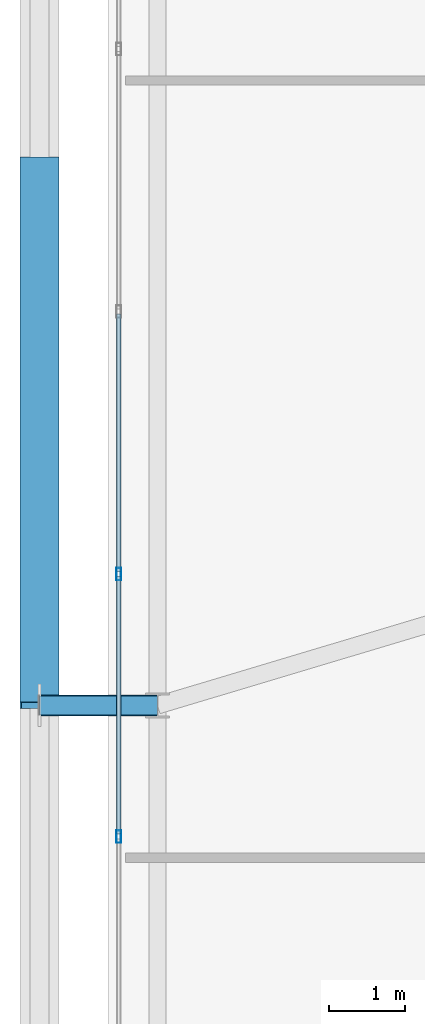
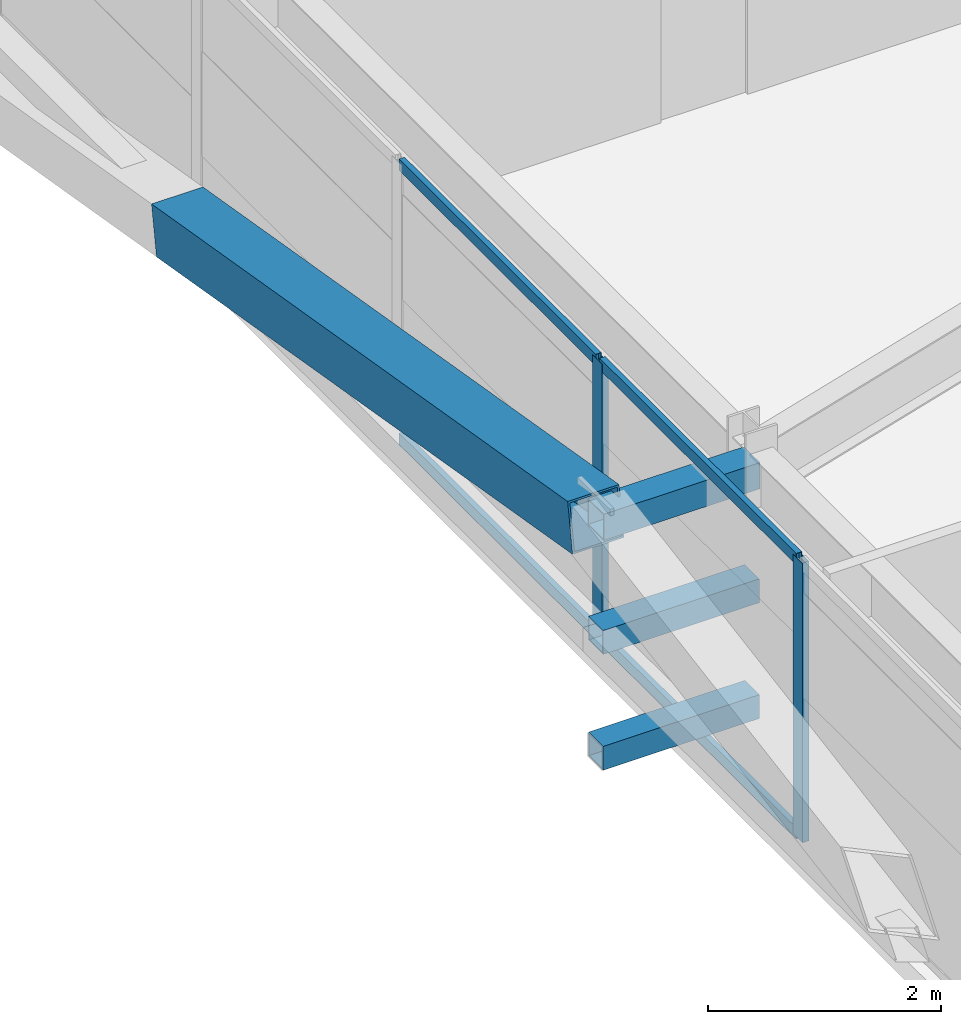
# One storey, part 14 of 58: 10 members, 1 element without a shape of its own.
"""IFC4 building model written with IfcOpenShell, lengths in metres."""

from ifc_helpers import new_model, si_unit, direction, frame, origin, origin_2d, place, context, subcontext, project, spatial, hollow_rectangle, extrude, source, transform, mapped, material, layer, layer_set, material_profile, profile_set, type_object, element, aggregate, save


model = new_model("IFC4")

# Units and contexts
model_context = context("Model", 3, precision=1e-05, world=origin(), true_north=direction((0.0, 1.0)))
body_context = subcontext(model_context, "Body", "Model", "MODEL_VIEW")
ifc_project = project(units=[si_unit("LENGTHUNIT", "METRE"), si_unit("AREAUNIT", "SQUARE_METRE"), si_unit("VOLUMEUNIT", "CUBIC_METRE"), si_unit("PLANEANGLEUNIT", "RADIAN"), si_unit("MASSUNIT", "GRAM", prefix="KILO")], contexts=[model_context])

# Site, building, storey
site_placement = place(None, origin())
site = spatial("IfcSite", under=ifc_project, at=site_placement, CompositionType="ELEMENT")
building_placement = place(site_placement, origin())
building = spatial("IfcBuilding", under=site, at=building_placement, Name="Taldren Reach Tower", CompositionType="ELEMENT")
storey_placement = place(building_placement, frame((0.0, 0.0, 54.60009765625)))
storey = spatial("IfcBuildingStorey", under=building, at=storey_placement, Name="L16", CompositionType="ELEMENT", Elevation=54.60009765625)

# Members
ifc_material_1 = material(Name="Steel Gr 450 (C450L0)", Category="steel")
ifc_material_profile_1 = material_profile(ifc_material_1, hollow_rectangle(XDim=0.27490234375, YDim=0.27490234375, WallThickness=0.00927734375, at=origin_2d()), Name="275x275x9.3SHS")
ifc_profile_set_1 = profile_set([ifc_material_profile_1], Name="Steel Gr 450 (C450L0)")
member_type_1 = type_object("IfcMemberType", Name="MB-TIE273", PredefinedType="STRUT", material=ifc_profile_set_1)
shared_shape_1 = source(origin(), body_context, "Body", "SweptSolid", [
    extrude(hollow_rectangle(XDim=0.27490234375, YDim=0.27490234375, WallThickness=0.00927734375, at=origin_2d()), origin(), (0.0, 0.0, 1.0), 1.5498046875),
])
member_1_placement = place(storey_placement, frame((5.64990234375, 20.0, 2.64990234375), z_axis=(-1.0, 0.0, 0.0), x_axis=(0.0, -1.0, 0.0)))
element("IfcMember", 1, at=member_1_placement, inside=storey, type_object=member_type_1, Name="Exoskeleton diaphragm tie strut B1-W2 L16", PredefinedType="STRUT", context=body_context, shape_type="MappedRepresentation", body=[
    mapped(shared_shape_1, transform((0.0, 0.0, 0.0), scale=1.0)),
])
ifc_material_2 = material(Name="Steel Gr 350 (C350L0)", Category="steel")
ifc_material_profile_2 = material_profile(ifc_material_2, hollow_rectangle(XDim=0.25, YDim=0.25, WallThickness=0.010009765625, at=origin_2d()), Name="250x250x10.0SHS")
ifc_profile_set_2 = profile_set([ifc_material_profile_2], Name="Steel Gr 350 (C350L0)")
member_type_2 = type_object("IfcMemberType", Name="MB-POST250", PredefinedType="POST", material=ifc_profile_set_2)
shared_shape_2 = source(origin(), body_context, "Body", "SweptSolid", [
    extrude(hollow_rectangle(XDim=0.25, YDim=0.25, WallThickness=0.010009765625, at=origin_2d()), origin(), (0.0, 0.0, 1.0), 1.5498046875),
])
for number, where, z_axis, x_axis, name in (
    (2, (5.64990234375, 20.0, 0.219970703125), (-1.0, 0.0, 0.0), (0.0, -1.0, 0.0), "Exoskeleton base diaphragm tie strut B1-W2 L16"),
    (3, (5.64990234375, 20.0, 1.434814453125), (-1.0, 0.0, 0.0), (0.0, -1.0, 0.0), "Exoskeleton mid-tier diaphragm tie B1-W2 L16"),
):
    element("IfcMember", number, at=place(storey_placement, frame(where, z_axis=z_axis, x_axis=x_axis)), inside=storey, type_object=member_type_2, Name=name, PredefinedType="POST", context=body_context, shape_type="MappedRepresentation", body=[
        mapped(shared_shape_2, transform((0.0, 0.0, 0.0), scale=1.0)),
    ])
ifc_material_profile_3 = material_profile(ifc_material_1, hollow_rectangle(XDim=0.510009765625, YDim=0.510009765625, WallThickness=0.02001953125, at=origin_2d()), Name="510x510x20.0SHS")
ifc_profile_set_3 = profile_set([ifc_material_profile_3], Name="Steel Gr 450 (C450L0)")
member_type_3 = type_object("IfcMemberType", Name="MB-EXO508", PredefinedType="BRACE", material=ifc_profile_set_3)
shared_shape_3 = source(origin(), body_context, "Body", "SweptSolid", [
    extrude(hollow_rectangle(XDim=0.510009765625, YDim=0.510009765625, WallThickness=0.02001953125, at=origin_2d()), origin(), (0.0, 0.0, 1.0), 7.25244140625),
])
member_2_placement = place(storey_placement, frame((4.10009765625, 27.14990234375, 1.434814453125), z_axis=(0.0, -0.985864855729, 0.167542490848), x_axis=(1.0, 0.0, 0.0)))
element("IfcMember", 4, at=member_2_placement, inside=storey, type_object=member_type_3, Name="Exoskeleton Diagrid Brace B1-W2 L16", PredefinedType="BRACE", context=body_context, shape_type="MappedRepresentation", body=[
    mapped(shared_shape_3, transform((0.0, 0.0, 0.0), scale=1.0)),
])

# Curtain wall, members
ifc_material_3 = material(Name="Aluminium and Low-E Glass Unitised System", Category="aluminium")
ifc_layer = layer(ifc_material_3, 0.159912109375)
ifc_layer_set = layer_set([ifc_layer], Name="Aluminium and Low-E Glass Unitised System")
curtain_wall_type = type_object("IfcCurtainWallType", Name="CW-SYS-2", PredefinedType="NOTDEFINED", material=ifc_layer_set)
curtain_wall_placement = place(storey_placement, origin())
curtain_wall = element("IfcCurtainWall", 5, at=curtain_wall_placement, inside=storey, type_object=curtain_wall_type, Name="Unitised curtain wall CW-L16-W", PredefinedType="NOTDEFINED")
ifc_material_4 = material(Name="Anodised Aluminium 6063-T6", Category="aluminium")
ifc_material_profile_4 = material_profile(ifc_material_4, hollow_rectangle(XDim=0.06494140625, YDim=0.1650390625, WallThickness=0.00390625, at=origin_2d()), Name="ALU-165x65x4RHS")
ifc_profile_set_4 = profile_set([ifc_material_profile_4], Name="Anodised Aluminium 6063-T6")
member_type_4 = type_object("IfcMemberType", Name="CW-MUL-165", PredefinedType="MULLION", material=ifc_profile_set_4)
shared_shape_4 = source(origin(), body_context, "Body", "SweptSolid", [
    extrude(hollow_rectangle(XDim=0.06494140625, YDim=0.1650390625, WallThickness=0.00390625, at=origin_2d()), origin(), (0.0, 0.0, 1.0), 2.929931640625),
])
member_3_placement = place(storey_placement, frame((5.139892578125, 21.72216796875, 0.0), z_axis=(0.0, 0.0, 1.0), x_axis=(1.0, 0.0, 0.0)))
member_3 = element("IfcMember", 6, at=member_3_placement, type_object=member_type_4, Name="CW-2 mullion 5", PredefinedType="MULLION", context=body_context, shape_type="MappedRepresentation", body=[
    mapped(shared_shape_4, transform((0.0, 0.0, 0.0), scale=1.0)),
])
member_4_placement = place(storey_placement, frame((5.139892578125, 18.27783203125, 0.0), z_axis=(0.0, 0.0, 1.0), x_axis=(1.0, 0.0, 0.0)))
member_4 = element("IfcMember", 7, at=member_4_placement, type_object=member_type_4, Name="CW-2 mullion 6", PredefinedType="MULLION", context=body_context, shape_type="MappedRepresentation", body=[
    mapped(shared_shape_4, transform((0.0, 0.0, 0.0), scale=1.0)),
])
ifc_material_profile_5 = material_profile(ifc_material_4, hollow_rectangle(XDim=0.054931640625, YDim=0.1201171875, WallThickness=0.0029296875, at=origin_2d()), Name="ALU-120x55x3RHS")
ifc_profile_set_5 = profile_set([ifc_material_profile_5], Name="Anodised Aluminium 6063-T6")
member_type_5 = type_object("IfcMemberType", Name="CW-TRN-135", PredefinedType="USERDEFINED", material=ifc_profile_set_5)
shared_shape_5 = source(origin(), body_context, "Body", "SweptSolid", [
    extrude(hollow_rectangle(XDim=0.054931640625, YDim=0.1201171875, WallThickness=0.0029296875, at=origin_2d()), origin(), (0.0, 0.0, 1.0), 3.37939453125),
])
member_5_placement = place(storey_placement, frame((5.139892578125, 21.689697265625, 0.02734375), z_axis=(0.0, -1.0, 0.0), x_axis=(1.0, 0.0, 0.0)))
member_5 = element("IfcMember", 8, at=member_5_placement, type_object=member_type_5, Name="CW-2 transom 5.1", ObjectType="TRANSOM", PredefinedType="USERDEFINED", context=body_context, shape_type="MappedRepresentation", body=[
    mapped(shared_shape_5, transform((0.0, 0.0, 0.0), scale=1.0)),
])
member_6_placement = place(storey_placement, frame((5.139892578125, 21.689697265625, 2.90234375), z_axis=(0.0, -1.0, 0.0), x_axis=(1.0, 0.0, 0.0)))
member_6 = element("IfcMember", 9, at=member_6_placement, type_object=member_type_5, Name="CW-2 transom 5.2", ObjectType="TRANSOM", PredefinedType="USERDEFINED", context=body_context, shape_type="MappedRepresentation", body=[
    mapped(shared_shape_5, transform((0.0, 0.0, 0.0), scale=1.0)),
])
shared_shape_6 = source(origin(), body_context, "Body", "SweptSolid", [
    extrude(hollow_rectangle(XDim=0.054931640625, YDim=0.1201171875, WallThickness=0.0029296875, at=origin_2d()), origin(), (0.0, 0.0, 1.0), 3.379638671875),
])
member_7_placement = place(storey_placement, frame((5.139892578125, 25.13427734375, 0.02734375), z_axis=(0.0, -1.0, 0.0), x_axis=(1.0, 0.0, 0.0)))
member_7 = element("IfcMember", 10, at=member_7_placement, type_object=member_type_5, Name="CW-2 transom 4.1", ObjectType="TRANSOM", PredefinedType="USERDEFINED", context=body_context, shape_type="MappedRepresentation", body=[
    mapped(shared_shape_6, transform((0.0, 0.0, 0.0), scale=1.0)),
])
member_8_placement = place(storey_placement, frame((5.139892578125, 25.13427734375, 2.90234375), z_axis=(0.0, -1.0, 0.0), x_axis=(1.0, 0.0, 0.0)))
member_8 = element("IfcMember", 11, at=member_8_placement, type_object=member_type_5, Name="CW-2 transom 4.2", ObjectType="TRANSOM", PredefinedType="USERDEFINED", context=body_context, shape_type="MappedRepresentation", body=[
    mapped(shared_shape_6, transform((0.0, 0.0, 0.0), scale=1.0)),
])
aggregate(curtain_wall, [member_3, member_4, member_7, member_8, member_5, member_6])

save(model, "model.ifc")
